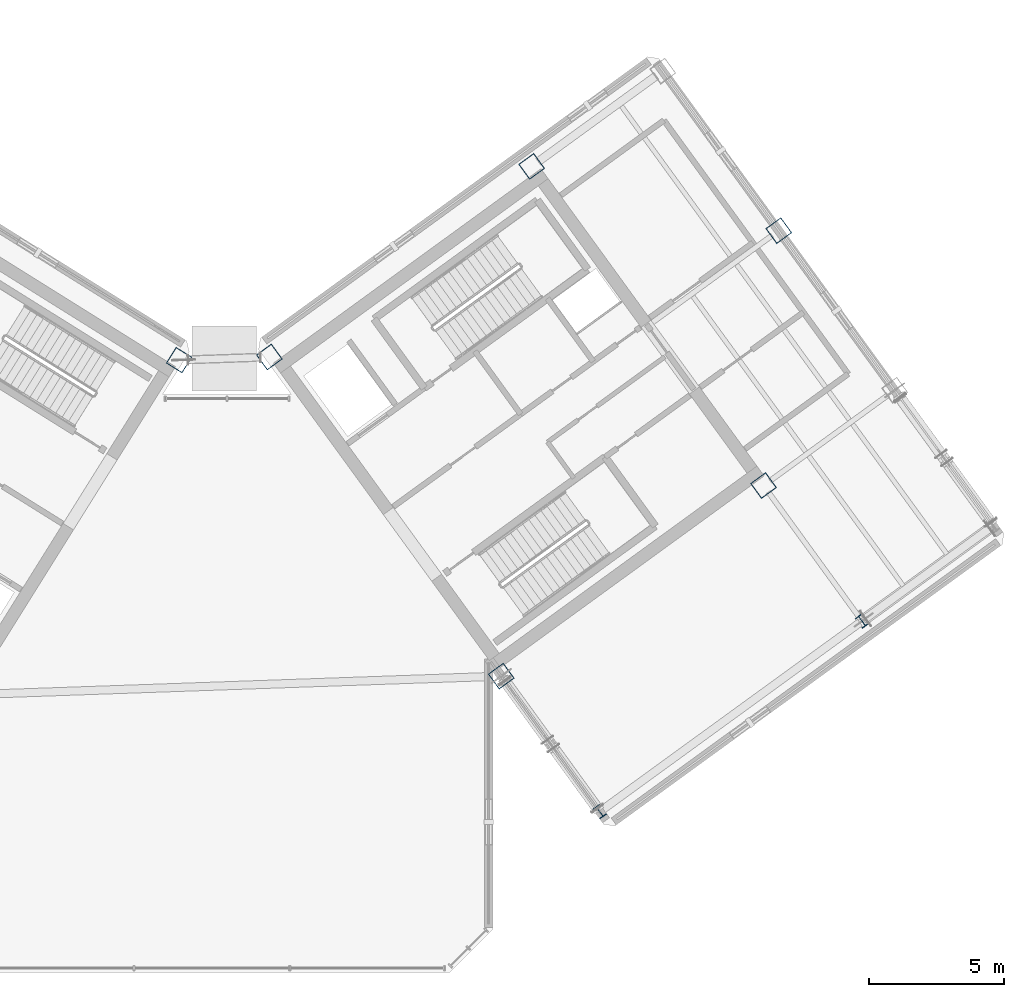
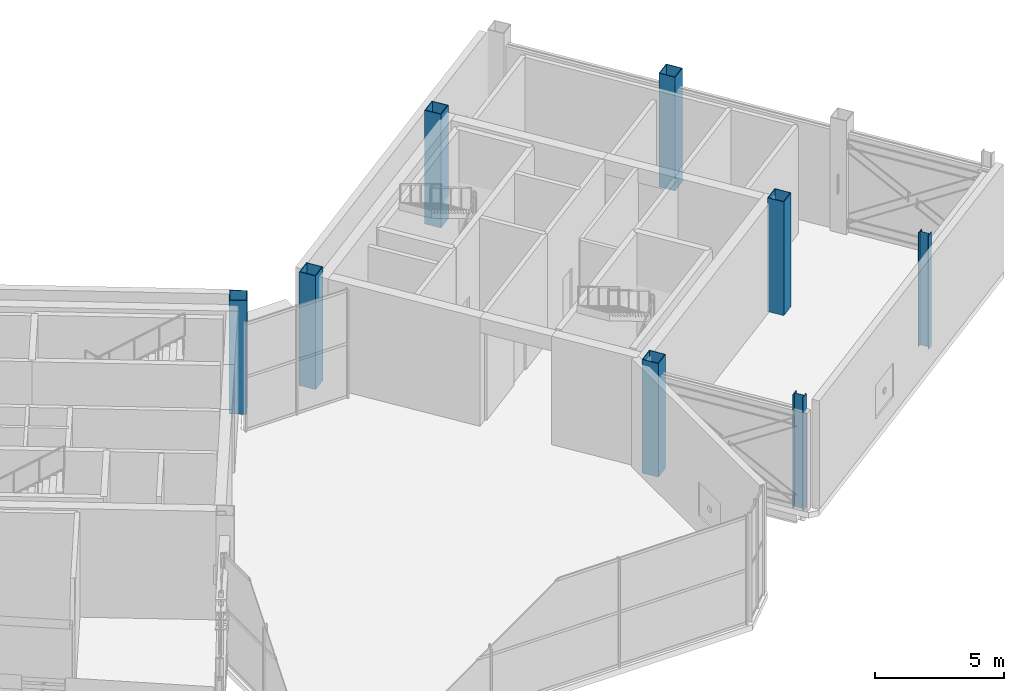
# One storey, part 2 of 32: 8 columns.
"""IFC4 building model written with IfcOpenShell, lengths in metres."""

from ifc_helpers import new_model, si_unit, direction, frame, origin, origin_2d, place, context, subcontext, project, spatial, hollow_rectangle, i_section, extrude, source, transform, mapped, material, material_profile, profile_set, type_object, element, save


model = new_model("IFC4")

# Units and contexts
model_context = context("Model", 3, precision=1e-05, world=origin(), true_north=direction((0.0, 1.0)))
body_context = subcontext(model_context, "Body", "Model", "MODEL_VIEW")
ifc_project = project(units=[si_unit("LENGTHUNIT", "METRE"), si_unit("AREAUNIT", "SQUARE_METRE"), si_unit("VOLUMEUNIT", "CUBIC_METRE"), si_unit("PLANEANGLEUNIT", "RADIAN"), si_unit("MASSUNIT", "GRAM", prefix="KILO")], contexts=[model_context])

# Site, building, storey
site_placement = place(None, origin())
site = spatial("IfcSite", under=ifc_project, at=site_placement, CompositionType="ELEMENT")
building_placement = place(site_placement, origin())
building = spatial("IfcBuilding", under=site, at=building_placement, Name="Tlacorven Tower", CompositionType="ELEMENT")
storey_placement = place(building_placement, frame((0.0, 0.0, 245.699951171875)))
storey = spatial("IfcBuildingStorey", under=building, at=storey_placement, Name="L62", CompositionType="ELEMENT", Elevation=245.699951171875)

# Columns
ifc_material_1 = material(Name="Steel S460M", Category="steel")
ifc_material_profile_1 = material_profile(ifc_material_1, hollow_rectangle(XDim=0.699951171875, YDim=0.699951171875, WallThickness=0.028076171875, at=origin_2d()), Name="BOX 700X700X28")
ifc_profile_set_1 = profile_set([ifc_material_profile_1], Name="Steel S460M")
column_type_1 = type_object("IfcColumnType", Name="COL-TWR-S4", PredefinedType="COLUMN", material=ifc_profile_set_1)
shared_shape_1 = source(origin(), body_context, "Body", "SweptSolid", [
    extrude(hollow_rectangle(XDim=0.699951171875, YDim=0.699951171875, WallThickness=0.028076171875, at=origin_2d()), origin(), (0.0, 0.0, 1.0), 5.400146484375),
])
for number, where, z_axis, x_axis, name in (
    (1, (40.782958984375, 24.468505859375, 0.0), (0.0, 0.0, 1.0), (-0.848048096156, 0.529919264233, 0.0), "L62 column COL-L62-W1-1"),
    (2, (52.705322265625, 12.7734375, 0.0), (0.0, 0.0, 1.0), (0.809016994375, 0.587785252292, 0.0), "L62 column COL-L62-E1-2"),
    (3, (44.123779296875, 24.5849609375, 0.0), (0.0, 0.0, 1.0), (0.809016994375, 0.587785252292, 0.0), "L62 column COL-L62-E1-4"),
    (4, (62.41357421875, 19.826904296875, 0.0), (0.0, 0.0, 1.0), (0.809016994375, 0.587785252292, 0.0), "L62 column COL-L62-E3-2"),
    (5, (53.83203125, 31.638427734375, 0.0), (0.0, 0.0, 1.0), (0.809016994375, 0.587785252292, 0.0), "L62 column COL-L62-E3-4"),
    (6, (62.976806640625, 29.25927734375, 0.0), (0.0, 0.0, 1.0), (0.809016994375, 0.587785252292, 0.0), "L62 column COL-L62-E4-3"),
):
    element("IfcColumn", number, at=place(storey_placement, frame(where, z_axis=z_axis, x_axis=x_axis)), inside=storey, type_object=column_type_1, Name=name, PredefinedType="COLUMN", context=body_context, shape_type="MappedRepresentation", body=[
        mapped(shared_shape_1, transform((0.0, 0.0, 0.0), scale=1.0)),
    ])
ifc_material_2 = material(Name="Steel S355J2", Category="steel")
ifc_material_profile_2 = material_profile(ifc_material_2, i_section(OverallWidth=0.300048828125, OverallDepth=0.449951171875, WebThickness=0.013916015625, FlangeThickness=0.02587890625, at=origin_2d()), Name="HEB 450")
ifc_profile_set_2 = profile_set([ifc_material_profile_2], Name="Steel S355J2")
column_type_2 = type_object("IfcColumnType", Name="COL-TWR-P3", PredefinedType="COLUMN", material=ifc_profile_set_2)
shared_shape_2 = source(origin(), body_context, "Body", "SweptSolid", [
    extrude(i_section(OverallWidth=0.300048828125, OverallDepth=0.449951171875, WebThickness=0.013916015625, FlangeThickness=0.02587890625, at=origin_2d()), origin(), (0.0, 0.0, 1.0), 5.400146484375),
])
for number, where, z_axis, x_axis, name in (
    (7, (56.349609375, 7.757568359375, 0.0), (0.0, 0.0, 1.0), (0.809016994375, 0.587785252292, 0.0), "L62 column COL-L62-E1-1"),
    (8, (66.057861328125, 14.81103515625, 0.0), (0.0, 0.0, 1.0), (0.809016994375, 0.587785252292, 0.0), "L62 column COL-L62-E3-1"),
):
    element("IfcColumn", number, at=place(storey_placement, frame(where, z_axis=z_axis, x_axis=x_axis)), inside=storey, type_object=column_type_2, Name=name, PredefinedType="COLUMN", context=body_context, shape_type="MappedRepresentation", body=[
        mapped(shared_shape_2, transform((0.0, 0.0, 0.0), scale=1.0)),
    ])

save(model, "model.ifc")
